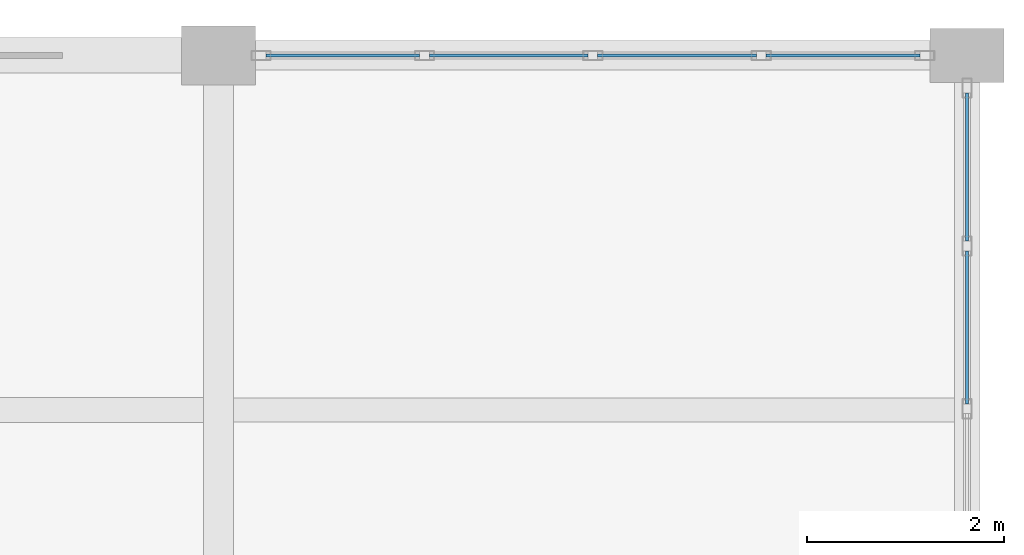
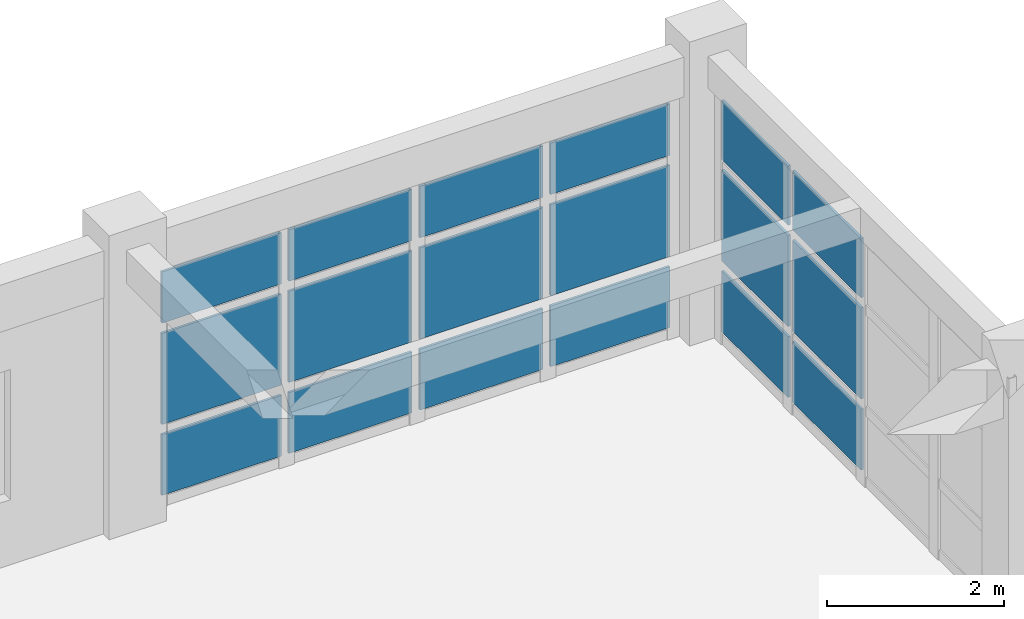
# One storey, part 156 of 195: 18 plates, 2 elements without a shape of their own.
"""IFC4 building model written with IfcOpenShell, lengths in metres."""

from ifc_helpers import new_model, si_unit, direction, frame, origin, origin_2d, place, context, subcontext, project, spatial, rectangle, extrude, material, layer, layer_set, type_object, element, aggregate, save


model = new_model("IFC4")

# Units and contexts
model_context = context("Model", 3, precision=1e-05, world=origin(), true_north=direction((0.0, 1.0)))
body_context = subcontext(model_context, "Body", "Model", "MODEL_VIEW")
ifc_project = project(units=[si_unit("LENGTHUNIT", "METRE"), si_unit("AREAUNIT", "SQUARE_METRE"), si_unit("VOLUMEUNIT", "CUBIC_METRE"), si_unit("PLANEANGLEUNIT", "RADIAN"), si_unit("MASSUNIT", "GRAM", prefix="KILO")], contexts=[model_context])

# Site, building, storey
site_placement = place(None, origin())
site = spatial("IfcSite", under=ifc_project, at=site_placement, CompositionType="ELEMENT")
building_placement = place(site_placement, origin())
building = spatial("IfcBuilding", under=site, at=building_placement, Name="Kharva Crest Polytechnic", CompositionType="ELEMENT")
storey_placement = place(building_placement, frame((0.0, 0.0, 9.0)))
storey = spatial("IfcBuildingStorey", under=building, at=storey_placement, Name="L02", CompositionType="ELEMENT", Elevation=9.0)

# Curtain wall, plates
ifc_material = material(Name="Tempered insulated glass", Category="glass")
curtain_wall_type = type_object("IfcCurtainWallType", Name="CW-SYS-LIBRARY", PredefinedType="USERDEFINED", material=ifc_material)
curtain_wall_1_placement = place(storey_placement, origin())
curtain_wall_1 = element("IfcCurtainWall", 1, at=curtain_wall_1_placement, inside=storey, type_object=curtain_wall_type, Name="L02 Glazed Curtain Wall CW-112", ObjectType="CURTAIN WALL", PredefinedType="USERDEFINED")
ifc_layer = layer(ifc_material, 0.031982421875, Name="Tempered insulated glass")
ifc_layer_set = layer_set([ifc_layer], Name="Tempered insulated glass")
plate_type = type_object("IfcPlateType", Name="CWP-GLZ-32", PredefinedType="CURTAIN_PANEL", material=ifc_layer_set)
plate_1_placement = place(storey_placement, frame((184.0, 119.2392578125, 0.14013671875), z_axis=(0.0, 0.0, 1.0), x_axis=(0.0, 1.0, 0.0)))
plate_1 = element("IfcPlate", 2, at=plate_1_placement, type_object=plate_type, Name="CW-112 panel 3.1", PredefinedType="CURTAIN_PANEL", context=body_context, shape_type="SweptSolid", body=[
    extrude(rectangle(XDim=1.5537109375, YDim=0.031982421875, at=origin_2d()), origin(), (0.0, 0.0, 1.0), 0.840087890625),
])
plate_2_placement = place(storey_placement, frame((184.0, 119.2392578125, 1.1201171875), z_axis=(0.0, 0.0, 1.0), x_axis=(0.0, 1.0, 0.0)))
plate_2 = element("IfcPlate", 3, at=plate_2_placement, type_object=plate_type, Name="CW-112 panel 3.2", PredefinedType="CURTAIN_PANEL", context=body_context, shape_type="SweptSolid", body=[
    extrude(rectangle(XDim=1.5537109375, YDim=0.031982421875, at=origin_2d()), origin(), (0.0, 0.0, 1.0), 1.260009765625),
])
plate_3_placement = place(storey_placement, frame((184.0, 119.2392578125, 2.52001953125), z_axis=(0.0, 0.0, 1.0), x_axis=(0.0, 1.0, 0.0)))
plate_3 = element("IfcPlate", 4, at=plate_3_placement, type_object=plate_type, Name="CW-112 panel 3.3", PredefinedType="CURTAIN_PANEL", context=body_context, shape_type="SweptSolid", body=[
    extrude(rectangle(XDim=1.5537109375, YDim=0.031982421875, at=origin_2d()), origin(), (0.0, 0.0, 1.0), 0.820068359375),
])
plate_4_placement = place(storey_placement, frame((184.0, 120.8681640625, 0.14013671875), z_axis=(0.0, 0.0, 1.0), x_axis=(0.0, 1.0, 0.0)))
plate_4 = element("IfcPlate", 5, at=plate_4_placement, type_object=plate_type, Name="CW-112 panel 4.1", PredefinedType="CURTAIN_PANEL", context=body_context, shape_type="SweptSolid", body=[
    extrude(rectangle(XDim=1.503662109375, YDim=0.031982421875, at=origin_2d()), origin(), (0.0, 0.0, 1.0), 0.840087890625),
])
plate_5_placement = place(storey_placement, frame((184.0, 120.8681640625, 1.1201171875), z_axis=(0.0, 0.0, 1.0), x_axis=(0.0, 1.0, 0.0)))
plate_5 = element("IfcPlate", 6, at=plate_5_placement, type_object=plate_type, Name="CW-112 panel 4.2", PredefinedType="CURTAIN_PANEL", context=body_context, shape_type="SweptSolid", body=[
    extrude(rectangle(XDim=1.503662109375, YDim=0.031982421875, at=origin_2d()), origin(), (0.0, 0.0, 1.0), 1.260009765625),
])
plate_6_placement = place(storey_placement, frame((184.0, 120.8681640625, 2.52001953125), z_axis=(0.0, 0.0, 1.0), x_axis=(0.0, 1.0, 0.0)))
plate_6 = element("IfcPlate", 7, at=plate_6_placement, type_object=plate_type, Name="CW-112 panel 4.3", PredefinedType="CURTAIN_PANEL", context=body_context, shape_type="SweptSolid", body=[
    extrude(rectangle(XDim=1.503662109375, YDim=0.031982421875, at=origin_2d()), origin(), (0.0, 0.0, 1.0), 0.820068359375),
])
aggregate(curtain_wall_1, [plate_1, plate_2, plate_3, plate_4, plate_5, plate_6])

curtain_wall_2_placement = place(storey_placement, origin())
curtain_wall_2 = element("IfcCurtainWall", 8, at=curtain_wall_2_placement, inside=storey, type_object=curtain_wall_type, Name="L02 Glazed Curtain Wall CW-113", ObjectType="CURTAIN WALL", PredefinedType="USERDEFINED")
plate_7_placement = place(storey_placement, frame((182.739990234375, 122.0, 0.14013671875), z_axis=(0.0, 0.0, 1.0), x_axis=(-1.0, 0.0, 0.0)))
plate_7 = element("IfcPlate", 9, at=plate_7_placement, type_object=plate_type, Name="CW-113 panel 1.1", PredefinedType="CURTAIN_PANEL", context=body_context, shape_type="SweptSolid", body=[
    extrude(rectangle(XDim=1.56005859375, YDim=0.031982421875, at=origin_2d()), origin(), (0.0, 0.0, 1.0), 0.840087890625),
])
plate_8_placement = place(storey_placement, frame((182.739990234375, 122.0, 1.1201171875), z_axis=(0.0, 0.0, 1.0), x_axis=(-1.0, 0.0, 0.0)))
plate_8 = element("IfcPlate", 10, at=plate_8_placement, type_object=plate_type, Name="CW-113 panel 1.2", PredefinedType="CURTAIN_PANEL", context=body_context, shape_type="SweptSolid", body=[
    extrude(rectangle(XDim=1.56005859375, YDim=0.031982421875, at=origin_2d()), origin(), (0.0, 0.0, 1.0), 1.260009765625),
])
plate_9_placement = place(storey_placement, frame((182.739990234375, 122.0, 2.52001953125), z_axis=(0.0, 0.0, 1.0), x_axis=(-1.0, 0.0, 0.0)))
plate_9 = element("IfcPlate", 11, at=plate_9_placement, type_object=plate_type, Name="CW-113 panel 1.3", PredefinedType="CURTAIN_PANEL", context=body_context, shape_type="SweptSolid", body=[
    extrude(rectangle(XDim=1.56005859375, YDim=0.031982421875, at=origin_2d()), origin(), (0.0, 0.0, 1.0), 0.7099609375),
])
plate_10_placement = place(storey_placement, frame((181.054931640625, 122.0, 0.14013671875), z_axis=(0.0, 0.0, 1.0), x_axis=(-1.0, 0.0, 0.0)))
plate_10 = element("IfcPlate", 12, at=plate_10_placement, type_object=plate_type, Name="CW-113 panel 2.1", PredefinedType="CURTAIN_PANEL", context=body_context, shape_type="SweptSolid", body=[
    extrude(rectangle(XDim=1.610107421875, YDim=0.031982421875, at=origin_2d()), origin(), (0.0, 0.0, 1.0), 0.840087890625),
])
plate_11_placement = place(storey_placement, frame((181.054931640625, 122.0, 1.1201171875), z_axis=(0.0, 0.0, 1.0), x_axis=(-1.0, 0.0, 0.0)))
plate_11 = element("IfcPlate", 13, at=plate_11_placement, type_object=plate_type, Name="CW-113 panel 2.2", PredefinedType="CURTAIN_PANEL", context=body_context, shape_type="SweptSolid", body=[
    extrude(rectangle(XDim=1.610107421875, YDim=0.031982421875, at=origin_2d()), origin(), (0.0, 0.0, 1.0), 1.260009765625),
])
plate_12_placement = place(storey_placement, frame((181.054931640625, 122.0, 2.52001953125), z_axis=(0.0, 0.0, 1.0), x_axis=(-1.0, 0.0, 0.0)))
plate_12 = element("IfcPlate", 14, at=plate_12_placement, type_object=plate_type, Name="CW-113 panel 2.3", PredefinedType="CURTAIN_PANEL", context=body_context, shape_type="SweptSolid", body=[
    extrude(rectangle(XDim=1.610107421875, YDim=0.031982421875, at=origin_2d()), origin(), (0.0, 0.0, 1.0), 0.7099609375),
])
plate_13_placement = place(storey_placement, frame((179.344970703125, 122.0, 0.14013671875), z_axis=(0.0, 0.0, 1.0), x_axis=(-1.0, 0.0, 0.0)))
plate_13 = element("IfcPlate", 15, at=plate_13_placement, type_object=plate_type, Name="CW-113 panel 3.1", PredefinedType="CURTAIN_PANEL", context=body_context, shape_type="SweptSolid", body=[
    extrude(rectangle(XDim=1.610107421875, YDim=0.031982421875, at=origin_2d()), origin(), (0.0, 0.0, 1.0), 0.840087890625),
])
plate_14_placement = place(storey_placement, frame((179.344970703125, 122.0, 1.1201171875), z_axis=(0.0, 0.0, 1.0), x_axis=(-1.0, 0.0, 0.0)))
plate_14 = element("IfcPlate", 16, at=plate_14_placement, type_object=plate_type, Name="CW-113 panel 3.2", PredefinedType="CURTAIN_PANEL", context=body_context, shape_type="SweptSolid", body=[
    extrude(rectangle(XDim=1.610107421875, YDim=0.031982421875, at=origin_2d()), origin(), (0.0, 0.0, 1.0), 1.260009765625),
])
plate_15_placement = place(storey_placement, frame((179.344970703125, 122.0, 2.52001953125), z_axis=(0.0, 0.0, 1.0), x_axis=(-1.0, 0.0, 0.0)))
plate_15 = element("IfcPlate", 17, at=plate_15_placement, type_object=plate_type, Name="CW-113 panel 3.3", PredefinedType="CURTAIN_PANEL", context=body_context, shape_type="SweptSolid", body=[
    extrude(rectangle(XDim=1.610107421875, YDim=0.031982421875, at=origin_2d()), origin(), (0.0, 0.0, 1.0), 0.7099609375),
])
plate_16_placement = place(storey_placement, frame((177.659912109375, 122.0, 0.14013671875), z_axis=(0.0, 0.0, 1.0), x_axis=(-1.0, 0.0, 0.0)))
plate_16 = element("IfcPlate", 18, at=plate_16_placement, type_object=plate_type, Name="CW-113 panel 4.1", PredefinedType="CURTAIN_PANEL", context=body_context, shape_type="SweptSolid", body=[
    extrude(rectangle(XDim=1.56005859375, YDim=0.031982421875, at=origin_2d()), origin(), (0.0, 0.0, 1.0), 0.840087890625),
])
plate_17_placement = place(storey_placement, frame((177.659912109375, 122.0, 1.1201171875), z_axis=(0.0, 0.0, 1.0), x_axis=(-1.0, 0.0, 0.0)))
plate_17 = element("IfcPlate", 19, at=plate_17_placement, type_object=plate_type, Name="CW-113 panel 4.2", PredefinedType="CURTAIN_PANEL", context=body_context, shape_type="SweptSolid", body=[
    extrude(rectangle(XDim=1.56005859375, YDim=0.031982421875, at=origin_2d()), origin(), (0.0, 0.0, 1.0), 1.260009765625),
])
plate_18_placement = place(storey_placement, frame((177.659912109375, 122.0, 2.52001953125), z_axis=(0.0, 0.0, 1.0), x_axis=(-1.0, 0.0, 0.0)))
plate_18 = element("IfcPlate", 20, at=plate_18_placement, type_object=plate_type, Name="CW-113 panel 4.3", PredefinedType="CURTAIN_PANEL", context=body_context, shape_type="SweptSolid", body=[
    extrude(rectangle(XDim=1.56005859375, YDim=0.031982421875, at=origin_2d()), origin(), (0.0, 0.0, 1.0), 0.7099609375),
])
aggregate(curtain_wall_2, [plate_7, plate_8, plate_9, plate_10, plate_11, plate_12, plate_13, plate_14, plate_15, plate_16, plate_17, plate_18])

save(model, "model.ifc")
